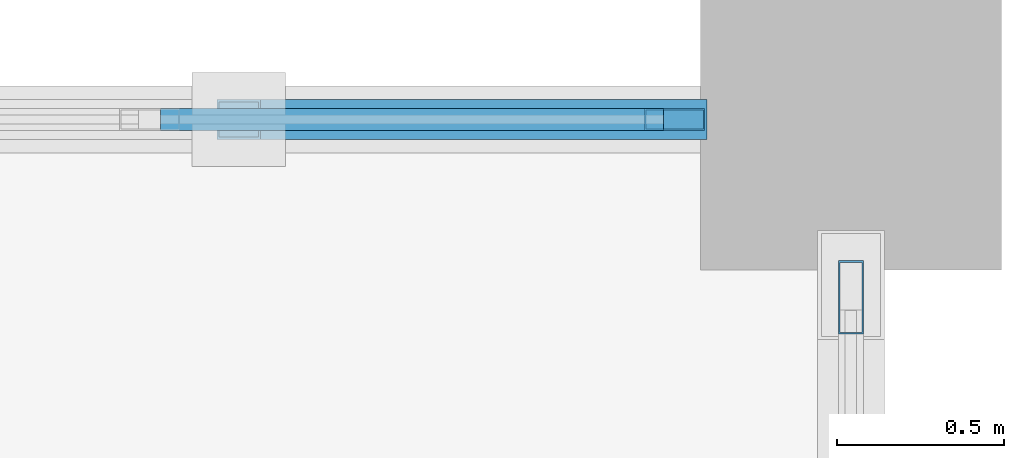
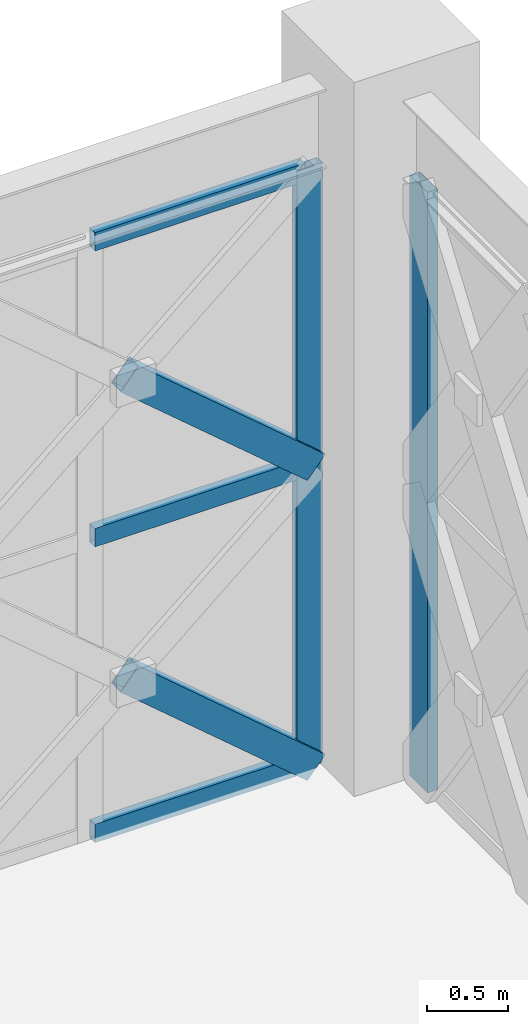
# One storey, part 26 of 166: 7 members, 2 elements without a shape of their own.
"""IFC4 building model written with IfcOpenShell, lengths in metres."""

from ifc_helpers import new_model, si_unit, direction, frame, origin, origin_2d, place, context, subcontext, project, spatial, hollow_rectangle, extrude, material, material_profile, profile_set, type_object, element, aggregate, save


model = new_model("IFC4")

# Units and contexts
model_context = context("Model", 3, precision=1e-05, world=origin(), true_north=direction((0.0, 1.0)))
body_context = subcontext(model_context, "Body", "Model", "MODEL_VIEW")
ifc_project = project(units=[si_unit("LENGTHUNIT", "METRE"), si_unit("AREAUNIT", "SQUARE_METRE"), si_unit("VOLUMEUNIT", "CUBIC_METRE"), si_unit("PLANEANGLEUNIT", "RADIAN"), si_unit("MASSUNIT", "GRAM", prefix="KILO")], contexts=[model_context])

# Site, building, storey
site_placement = place(None, origin())
site = spatial("IfcSite", under=ifc_project, at=site_placement, CompositionType="ELEMENT")
building_placement = place(site_placement, origin())
building = spatial("IfcBuilding", under=site, at=building_placement, Name="Haizhuo Lancet Aquarium", CompositionType="ELEMENT")
storey_placement = place(building_placement, frame((0.0, 0.0, 5.39990234375)))
storey = spatial("IfcBuildingStorey", under=building, at=storey_placement, Name="L01", CompositionType="ELEMENT", Elevation=5.39990234375)

# Curtain wall, member
ifc_material_1 = material(Name="Aluminium 6063-T6", Category="aluminium")
curtain_wall_type_1 = type_object("IfcCurtainWallType", Name="CWO-8010x4540", PredefinedType="NOTDEFINED", material=ifc_material_1)
curtain_wall_1_placement = place(storey_placement, origin())
curtain_wall_1 = element("IfcCurtainWall", 1, at=curtain_wall_1_placement, inside=storey, type_object=curtain_wall_type_1, Name="L01 curtain wall CW-V6-L01-205", PredefinedType="NOTDEFINED")
ifc_material_profile_1 = material_profile(ifc_material_1, hollow_rectangle(XDim=0.06494140625, YDim=0.179931640625, WallThickness=0.00390625, at=origin_2d()), Name="ALU-M 65x180x4")
ifc_profile_set_1 = profile_set([ifc_material_profile_1], Name="Aluminium 6063-T6")
member_type_1 = type_object("IfcMemberType", Name="CW-MUL-1", PredefinedType="MULLION", material=ifc_profile_set_1)
member_1_placement = place(storey_placement, frame((-36.527099609375, -9.0, 0.0), z_axis=(0.0, 0.0, 1.0), x_axis=(0.0, 1.0, 0.0)))
member_1 = element("IfcMember", 2, at=member_1_placement, type_object=member_type_1, Name="CWO-80x45 mullion 6", PredefinedType="MULLION", context=body_context, shape_type="SweptSolid", body=[
    extrude(hollow_rectangle(XDim=0.06494140625, YDim=0.179931640625, WallThickness=0.00390625, at=origin_2d()), origin(), (0.0, 0.0, 1.0), 4.5400390625),
])

curtain_wall_type_2 = type_object("IfcCurtainWallType", Name="CWD-8010x4540", PredefinedType="NOTDEFINED", material=ifc_material_1)
curtain_wall_2_placement = place(storey_placement, origin())
curtain_wall_2 = element("IfcCurtainWall", 3, at=curtain_wall_2_placement, inside=storey, type_object=curtain_wall_type_2, Name="L01 curtain wall CW-V6-L01-206", PredefinedType="NOTDEFINED")
ifc_material_profile_2 = material_profile(ifc_material_1, hollow_rectangle(XDim=0.074951171875, YDim=0.219970703125, WallThickness=0.0048828125, at=origin_2d()), Name="ALU-M 75x220x5")
ifc_profile_set_2 = profile_set([ifc_material_profile_2], Name="Aluminium 6063-T6")
member_type_2 = type_object("IfcMemberType", Name="CW-MUL-2", PredefinedType="MULLION", material=ifc_profile_set_2)
member_2_placement = place(storey_placement, frame((-36.0, -9.531982421875, 0.0), z_axis=(0.0, 0.0, 1.0), x_axis=(1.0, 0.0, 0.0)))
member_2 = element("IfcMember", 4, at=member_2_placement, type_object=member_type_2, Name="CWD-80x45 mullion 1", PredefinedType="MULLION", context=body_context, shape_type="SweptSolid", body=[
    extrude(hollow_rectangle(XDim=0.074951171875, YDim=0.219970703125, WallThickness=0.0048828125, at=origin_2d()), origin(), (0.0, 0.0, 1.0), 4.5400390625),
])
aggregate(curtain_wall_2, [member_2])

# Member
ifc_material_profile_3 = material_profile(ifc_material_1, hollow_rectangle(XDim=0.06494140625, YDim=0.139892578125, WallThickness=0.00390625, at=origin_2d()), Name="ALU-T 65x140x4")
ifc_profile_set_3 = profile_set([ifc_material_profile_3], Name="Aluminium 6063-T6")
member_type_3 = type_object("IfcMemberType", Name="CW-TRN-1", PredefinedType="NOTDEFINED", material=ifc_profile_set_3)
member_3_placement = place(storey_placement, frame((-38.06396484375, -9.0, 0.033203125), z_axis=(1.0, 0.0, 0.0), x_axis=(0.0, 1.0, 0.0)))
member_3 = element("IfcMember", 5, at=member_3_placement, type_object=member_type_3, Name="CWO-80x45 transom 5.1", ObjectType="TRANSOM", PredefinedType="USERDEFINED", context=body_context, shape_type="SweptSolid", body=[
    extrude(hollow_rectangle(XDim=0.06494140625, YDim=0.139892578125, WallThickness=0.00390625, at=origin_2d()), origin(), (0.0, 0.0, 1.0), 1.50390625),
])

member_4_placement = place(storey_placement, frame((-38.06396484375, -9.0, 2.27001953125), z_axis=(1.0, 0.0, 0.0), x_axis=(0.0, 1.0, 0.0)))
member_4 = element("IfcMember", 6, at=member_4_placement, type_object=member_type_3, Name="CWO-80x45 transom 5.2", ObjectType="TRANSOM", PredefinedType="USERDEFINED", context=body_context, shape_type="SweptSolid", body=[
    extrude(hollow_rectangle(XDim=0.06494140625, YDim=0.139892578125, WallThickness=0.00390625, at=origin_2d()), origin(), (0.0, 0.0, 1.0), 1.50390625),
])

member_5_placement = place(storey_placement, frame((-38.06396484375, -9.0, 4.507080078125), z_axis=(1.0, 0.0, 0.0), x_axis=(0.0, 1.0, 0.0)))
member_5 = element("IfcMember", 7, at=member_5_placement, type_object=member_type_3, Name="CWO-80x45 transom 5.3", ObjectType="TRANSOM", PredefinedType="USERDEFINED", context=body_context, shape_type="SweptSolid", body=[
    extrude(hollow_rectangle(XDim=0.06494140625, YDim=0.139892578125, WallThickness=0.00390625, at=origin_2d()), origin(), (0.0, 0.0, 1.0), 1.50390625),
])

aggregate(curtain_wall_1, [member_1, member_3, member_4, member_5])

# Members
ifc_material_2 = material(Name="Steel S355", Category="steel")
ifc_material_profile_4 = material_profile(ifc_material_2, hollow_rectangle(XDim=0.1201171875, YDim=0.199951171875, WallThickness=0.008056640625, at=origin_2d()), Name="RHS 120x200x8")
ifc_profile_set_4 = profile_set([ifc_material_profile_4], Name="Steel S355")
member_type_4 = type_object("IfcMemberType", Name="MEM-LB-RHS120x200", PredefinedType="BRACE", material=ifc_profile_set_4)
for number, where, z_axis, x_axis, name in (
    (8, (-36.4951171875, -9.0, 0.0), (-0.761856805528, 0.0, 0.647745480779), (0.0, -1.0, 0.0), "Gothic lancet split diagonal brace CW-V6-L01-205 5B1"),
    (9, (-36.4951171875, -9.0, 2.27001953125), (-0.761856805528, 0.0, 0.647745480779), (0.0, -1.0, 0.0), "Gothic lancet split diagonal brace CW-V6-L01-205 6B1"),
):
    element("IfcMember", number, at=place(storey_placement, frame(where, z_axis=z_axis, x_axis=x_axis)), inside=storey, type_object=member_type_4, Name=name, PredefinedType="BRACE", context=body_context, shape_type="SweptSolid", body=[
        extrude(hollow_rectangle(XDim=0.1201171875, YDim=0.199951171875, WallThickness=0.008056640625, at=origin_2d()), origin(), (0.0, 0.0, 1.0), 1.752197265625),
    ])

save(model, "model.ifc")
